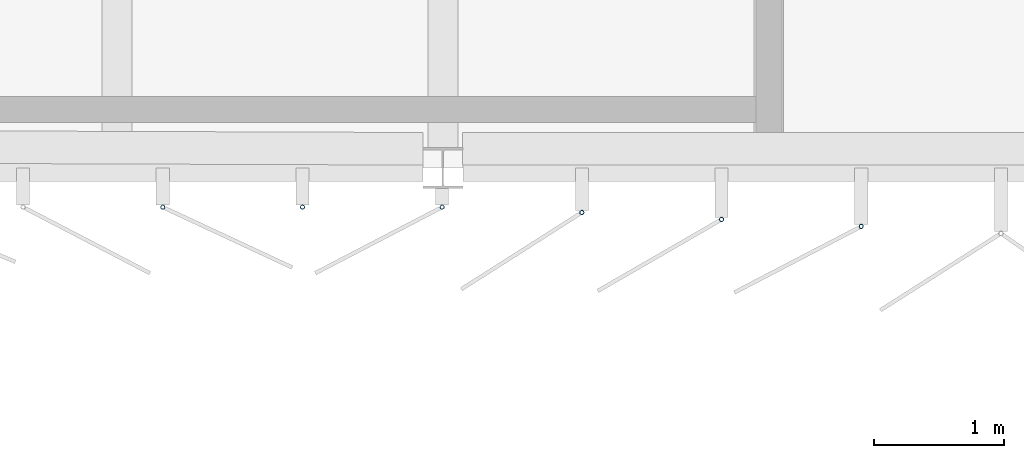
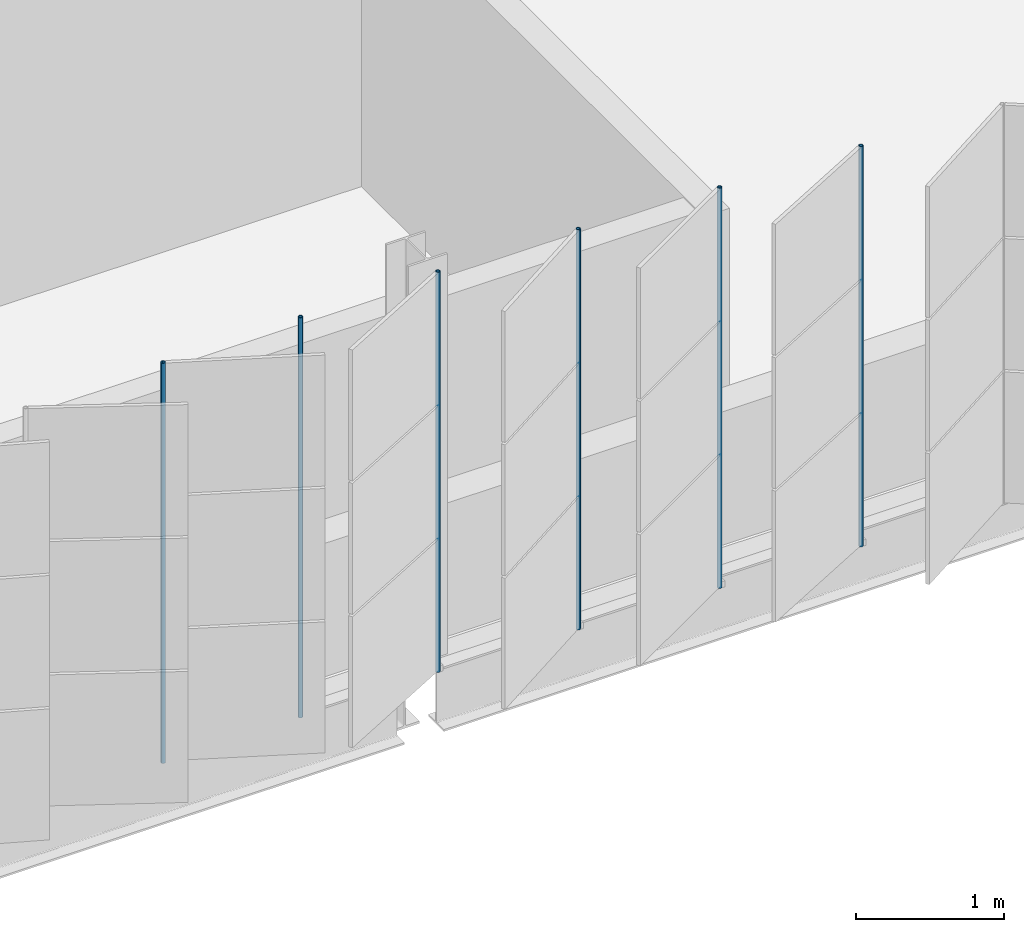
# One storey, part 121 of 214: 6 discrete accessories.
"""IFC4 building model written with IfcOpenShell, lengths in metres."""

from ifc_helpers import new_model, si_unit, direction, frame, origin, origin_2d, place, context, subcontext, project, spatial, hollow_circle, extrude, material, material_profile, profile_set, type_object, element, save


model = new_model("IFC4")

# Units and contexts
model_context = context("Model", 3, precision=1e-05, world=origin(), true_north=direction((0.0, 1.0)))
body_context = subcontext(model_context, "Body", "Model", "MODEL_VIEW")
ifc_project = project(units=[si_unit("LENGTHUNIT", "METRE"), si_unit("AREAUNIT", "SQUARE_METRE"), si_unit("VOLUMEUNIT", "CUBIC_METRE"), si_unit("PLANEANGLEUNIT", "RADIAN"), si_unit("MASSUNIT", "GRAM", prefix="KILO")], contexts=[model_context])

# Site, building, storey
site_placement = place(None, origin())
site = spatial("IfcSite", under=ifc_project, at=site_placement, CompositionType="ELEMENT")
building_placement = place(site_placement, origin())
building = spatial("IfcBuilding", under=site, at=building_placement, Name="Parallax Yard Mobility Hub", CompositionType="ELEMENT")
storey_placement = place(building_placement, frame((0.0, 0.0, 3.300048828125)))
storey = spatial("IfcBuildingStorey", under=building, at=storey_placement, Name="L01", CompositionType="ELEMENT", Elevation=3.300048828125)

# Discrete accessories
ifc_material = material(Name="Steel ASTM A500 Gr C, hot-dip galvanised", Category="steel")
ifc_material_profile = material_profile(ifc_material, hollow_circle(Radius=0.016845703125, WallThickness=0.003173828125, at=origin_2d()), Name="CHS 33.7x3.2")
ifc_profile_set = profile_set([ifc_material_profile], Name="Steel ASTM A500 Gr C, hot-dip galvanised")
discrete_accessory_type = type_object("IfcDiscreteAccessoryType", Name="Hinge post CHS 33.7x3.2", PredefinedType="BRACKET", material=ifc_profile_set)
for number, where, z_axis, x_axis, name in (
    (1, (155.35107421875, 112.199951171875, 0.0), (0.0, 0.0, 1.0), (1.0, 0.0, 0.0), "Hinge post bay 15.6 level L01"),
    (2, (156.422607421875, 112.199951171875, 0.0), (0.0, 0.0, 1.0), (1.0, 0.0, 0.0), "Hinge post bay 15.7 level L01"),
    (3, (157.494140625, 112.199951171875, 0.0), (0.0, 0.0, 1.0), (1.0, 0.0, 0.0), "Hinge post bay 16.1 level L01"),
    (4, (158.565673828125, 112.158935546875, 0.0), (0.0, 0.0, 1.0), (1.0, 0.0, 0.0), "Hinge post bay 16.2 level L01"),
    (5, (159.63720703125, 112.10546875, 0.0), (0.0, 0.0, 1.0), (1.0, 0.0, 0.0), "Hinge post bay 16.3 level L01"),
    (6, (160.70849609375, 112.0517578125, 0.0), (0.0, 0.0, 1.0), (1.0, 0.0, 0.0), "Hinge post bay 16.4 level L01"),
):
    element("IfcDiscreteAccessory", number, at=place(storey_placement, frame(where, z_axis=z_axis, x_axis=x_axis)), inside=storey, type_object=discrete_accessory_type, Name=name, PredefinedType="BRACKET", context=body_context, shape_type="SweptSolid", body=[
        extrude(hollow_circle(Radius=0.016845703125, WallThickness=0.003173828125, at=origin_2d()), origin(), (0.0, 0.0, 1.0), 3.300048828125),
    ])

save(model, "model.ifc")
